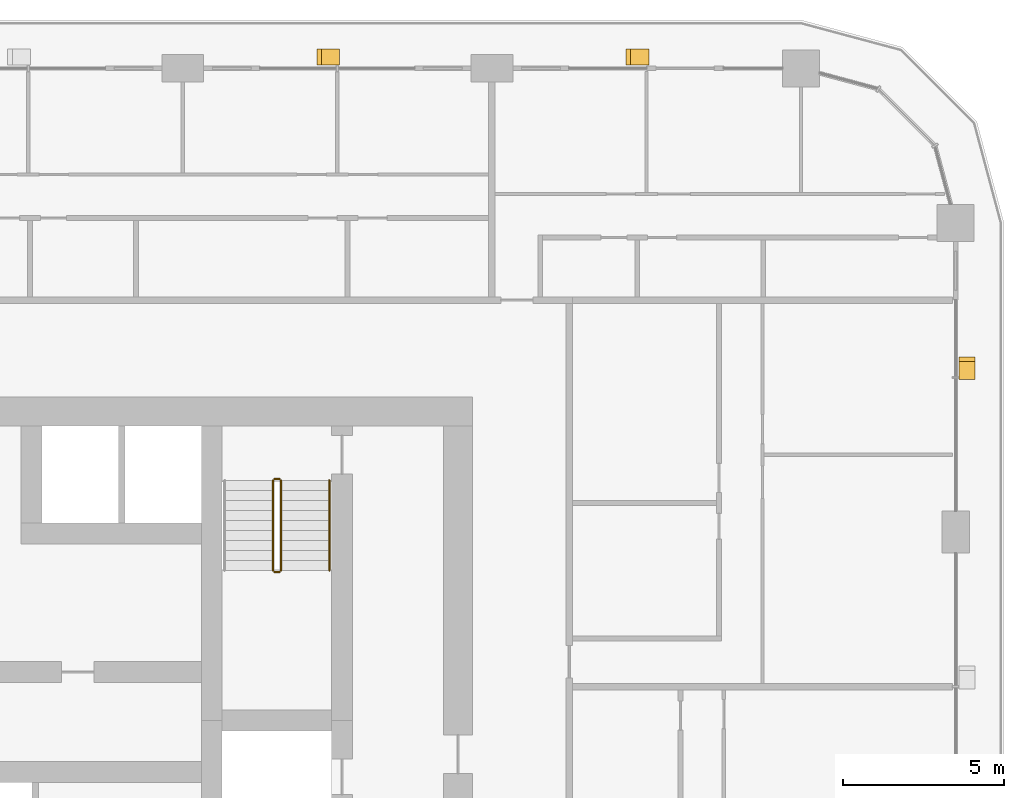
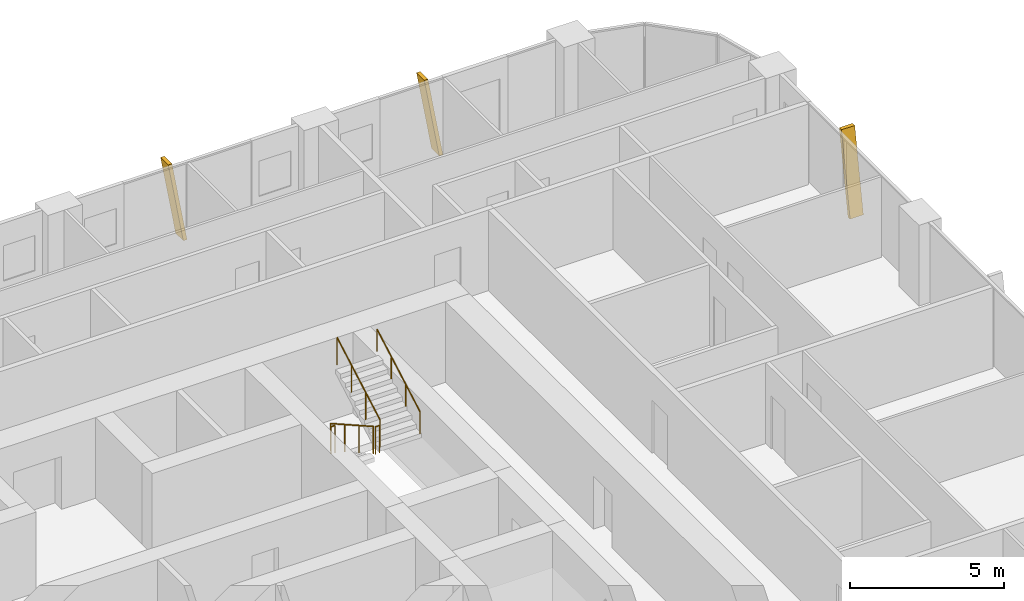
# One storey, part 22 of 22: 5 railings, 3 shading devices.
"""IFC4 building model written with IfcOpenShell, lengths in metres."""

from ifc_helpers import new_model, si_unit, direction, frame, origin, origin_2d, place, context, subcontext, project, spatial, polyline, circle, outline, extrude, material, type_object, element, save


model = new_model("IFC4")

# Units and contexts
model_context = context("Model", 3, precision=1e-05, world=origin(), true_north=direction((0.0, 1.0)))
body_context = subcontext(model_context, "Body", "Model", "MODEL_VIEW")
ifc_project = project(units=[si_unit("LENGTHUNIT", "METRE"), si_unit("AREAUNIT", "SQUARE_METRE"), si_unit("VOLUMEUNIT", "CUBIC_METRE"), si_unit("PLANEANGLEUNIT", "RADIAN"), si_unit("MASSUNIT", "GRAM", prefix="KILO")], contexts=[model_context])

# Site, building, storey
site_placement = place(None, origin())
site = spatial("IfcSite", under=ifc_project, at=site_placement, CompositionType="ELEMENT")
building_placement = place(site_placement, origin())
building = spatial("IfcBuilding", under=site, at=building_placement, Name="Madar Terraces", CompositionType="ELEMENT")
storey_placement = place(building_placement, frame((0.0, 0.0, 62.800048828125)))
storey = spatial("IfcBuildingStorey", under=building, at=storey_placement, Name="L15", CompositionType="ELEMENT", Elevation=62.800048828125)

# Shading devices
ifc_material_1 = material(Name="Aluminium, black anodised", Category="aluminium")
shading_device_type = type_object("IfcShadingDeviceType", Name="Facade fin blade 140 x 500", PredefinedType="USERDEFINED", material=ifc_material_1)
shading_device_placement = place(storey_placement, frame((62.75, 38.330078125, 0.0), z_axis=(0.0, 0.0, 1.0), x_axis=(0.0, 1.0, 0.0)))
element("IfcShadingDevice", 1, at=shading_device_placement, inside=storey, type_object=shading_device_type, Name="FIN L15 E4", ObjectType="FIN", PredefinedType="USERDEFINED", context=body_context, shape_type="SweptSolid", body=[
    extrude(outline(polyline([(0.0, 0.0), (0.139892578125, 0.0), (0.704345703125, 3.199951171875), (0.564208984375, 3.199951171875), (0.0, 0.0)])), frame((0.0, 0.25, 0.0), z_axis=(0.0, -1.0, 0.0), x_axis=(1.0, 0.0, 0.0)), (0.0, 0.0, 1.0), 0.5),
])
for number, where, z_axis, x_axis, name in (
    (2, (52.8701171875, 48.35009765625, 0.0), (0.0, 0.0, 1.0), (-1.0, 0.0, 0.0), "FIN L15 N1"),
    (3, (43.27001953125, 48.35009765625, 0.0), (0.0, 0.0, 1.0), (-1.0, 0.0, 0.0), "FIN L15 N2"),
):
    element("IfcShadingDevice", number, at=place(storey_placement, frame(where, z_axis=z_axis, x_axis=x_axis)), inside=storey, type_object=shading_device_type, Name=name, ObjectType="FIN", PredefinedType="USERDEFINED", context=body_context, shape_type="SweptSolid", body=[
        extrude(outline(polyline([(0.0, 0.0), (0.14013671875, 0.0), (0.704345703125, 3.199951171875), (0.564208984375, 3.199951171875), (0.0, 0.0)])), frame((0.0, 0.25, 0.0), z_axis=(0.0, -1.0, 0.0), x_axis=(1.0, 0.0, 0.0)), (0.0, 0.0, 1.0), 0.5),
    ])

# Railings
ifc_material_2 = material(Name="Stainless steel railing", Category="steel")
railing_type_1 = type_object("IfcRailingType", Name="Stair guard 1100", PredefinedType="GUARDRAIL", material=ifc_material_2)
railing_1_placement = place(storey_placement, frame((41.199951171875, 35.199951171875, 0.175048828125)))
element("IfcRailing", 4, at=railing_1_placement, inside=storey, type_object=railing_type_1, Name="L15 ST2 stair guard 1", PredefinedType="GUARDRAIL", context=body_context, shape_type="SweptSolid", body=[
    extrude(circle(Radius=0.02392578125, at=origin_2d()), frame((0.0, 0.0, 1.076171875), z_axis=(0.0, -0.870833779661, 0.491577591232), x_axis=(1.0, 0.0, 0.0)), (0.0, 0.0, 1.0), 3.203857421875),
    extrude(circle(Radius=0.02099609375, at=origin_2d()), origin(), (0.0, 0.0, 1.0), 1.052001953125),
    extrude(circle(Radius=0.02099609375, at=origin_2d()), frame((0.0, -0.929931640625, 0.52490234375)), (0.0, 0.0, 1.0), 1.052001953125),
    extrude(circle(Radius=0.02099609375, at=origin_2d()), frame((0.0, -1.860107421875, 1.050048828125)), (0.0, 0.0, 1.0), 1.052001953125),
    extrude(circle(Radius=0.02099609375, at=origin_2d()), frame((0.0, -2.7900390625, 1.574951171875)), (0.0, 0.0, 1.0), 1.052001953125),
])
railing_2_placement = place(storey_placement, frame((41.25, 32.360107421875, 1.75)))
element("IfcRailing", 5, at=railing_2_placement, inside=storey, type_object=railing_type_1, Name="L15 ST2 stair guard 2", PredefinedType="GUARDRAIL", context=body_context, shape_type="SweptSolid", body=[
    extrude(circle(Radius=0.02392578125, at=origin_2d()), frame((0.0, 0.0, 1.076171875), z_axis=(1.0, 0.0, 0.0), x_axis=(0.0, 1.0, 0.0)), (0.0, 0.0, 1.0), 0.14990234375),
    extrude(circle(Radius=0.02099609375, at=origin_2d()), origin(), (0.0, 0.0, 1.0), 1.052001953125),
    extrude(circle(Radius=0.02099609375, at=origin_2d()), frame((0.14990234375, 0.0, 0.0)), (0.0, 0.0, 1.0), 1.052001953125),
])
railing_3_placement = place(storey_placement, frame((41.449951171875, 32.409912109375, 1.925048828125)))
element("IfcRailing", 6, at=railing_3_placement, inside=storey, type_object=railing_type_1, Name="L15 ST2 stair guard 3", PredefinedType="GUARDRAIL", context=body_context, shape_type="SweptSolid", body=[
    extrude(circle(Radius=0.02392578125, at=origin_2d()), frame((0.0, 0.0, 1.076171875), z_axis=(0.0, 0.870833779661, 0.491577591232), x_axis=(-1.0, 0.0, 0.0)), (0.0, 0.0, 1.0), 3.203857421875),
    extrude(circle(Radius=0.02099609375, at=origin_2d()), origin(), (0.0, 0.0, 1.0), 1.052001953125),
    extrude(circle(Radius=0.02099609375, at=origin_2d()), frame((0.0, 0.929931640625, 0.52490234375)), (0.0, 0.0, 1.0), 1.052001953125),
    extrude(circle(Radius=0.02099609375, at=origin_2d()), frame((0.0, 1.860107421875, 1.050048828125)), (0.0, 0.0, 1.0), 1.052001953125),
    extrude(circle(Radius=0.02099609375, at=origin_2d()), frame((0.0, 2.7900390625, 1.574951171875)), (0.0, 0.0, 1.0), 1.052001953125),
])
railing_4_placement = place(storey_placement, frame((41.25, 35.25, 0.0)))
element("IfcRailing", 7, at=railing_4_placement, inside=storey, type_object=railing_type_1, Name="L15 ST2 stair guard 4", PredefinedType="GUARDRAIL", context=body_context, shape_type="SweptSolid", body=[
    extrude(circle(Radius=0.02392578125, at=origin_2d()), frame((0.0, 0.0, 1.076171875), z_axis=(1.0, 0.0, 0.0), x_axis=(0.0, 1.0, 0.0)), (0.0, 0.0, 1.0), 0.14990234375),
    extrude(circle(Radius=0.02099609375, at=origin_2d()), origin(), (0.0, 0.0, 1.0), 1.052001953125),
    extrude(circle(Radius=0.02099609375, at=origin_2d()), frame((0.14990234375, 0.0, 0.0)), (0.0, 0.0, 1.0), 1.052001953125),
])
ifc_material_3 = material(Name="Stainless steel railing", Category="steel")
railing_type_2 = type_object("IfcRailingType", Name="Stair handrail 900", PredefinedType="HANDRAIL", material=ifc_material_3)
railing_5_placement = place(storey_placement, frame((42.949951171875, 32.409912109375, 1.925048828125)))
element("IfcRailing", 8, at=railing_5_placement, inside=storey, type_object=railing_type_2, Name="L15 ST2 stair handrail 2", PredefinedType="HANDRAIL", context=body_context, shape_type="SweptSolid", body=[
    extrude(circle(Radius=0.02392578125, at=origin_2d()), frame((0.0, 0.0, 0.8759765625), z_axis=(0.0, 0.870833779661, 0.491577591232), x_axis=(-1.0, 0.0, 0.0)), (0.0, 0.0, 1.0), 3.203857421875),
    extrude(circle(Radius=0.02099609375, at=origin_2d()), origin(), (0.0, 0.0, 1.0), 0.851806640625),
    extrude(circle(Radius=0.02099609375, at=origin_2d()), frame((0.0, 0.929931640625, 0.52490234375)), (0.0, 0.0, 1.0), 0.851806640625),
    extrude(circle(Radius=0.02099609375, at=origin_2d()), frame((0.0, 1.860107421875, 1.050048828125)), (0.0, 0.0, 1.0), 0.851806640625),
    extrude(circle(Radius=0.02099609375, at=origin_2d()), frame((0.0, 2.7900390625, 1.574951171875)), (0.0, 0.0, 1.0), 0.851806640625),
])

save(model, "model.ifc")
